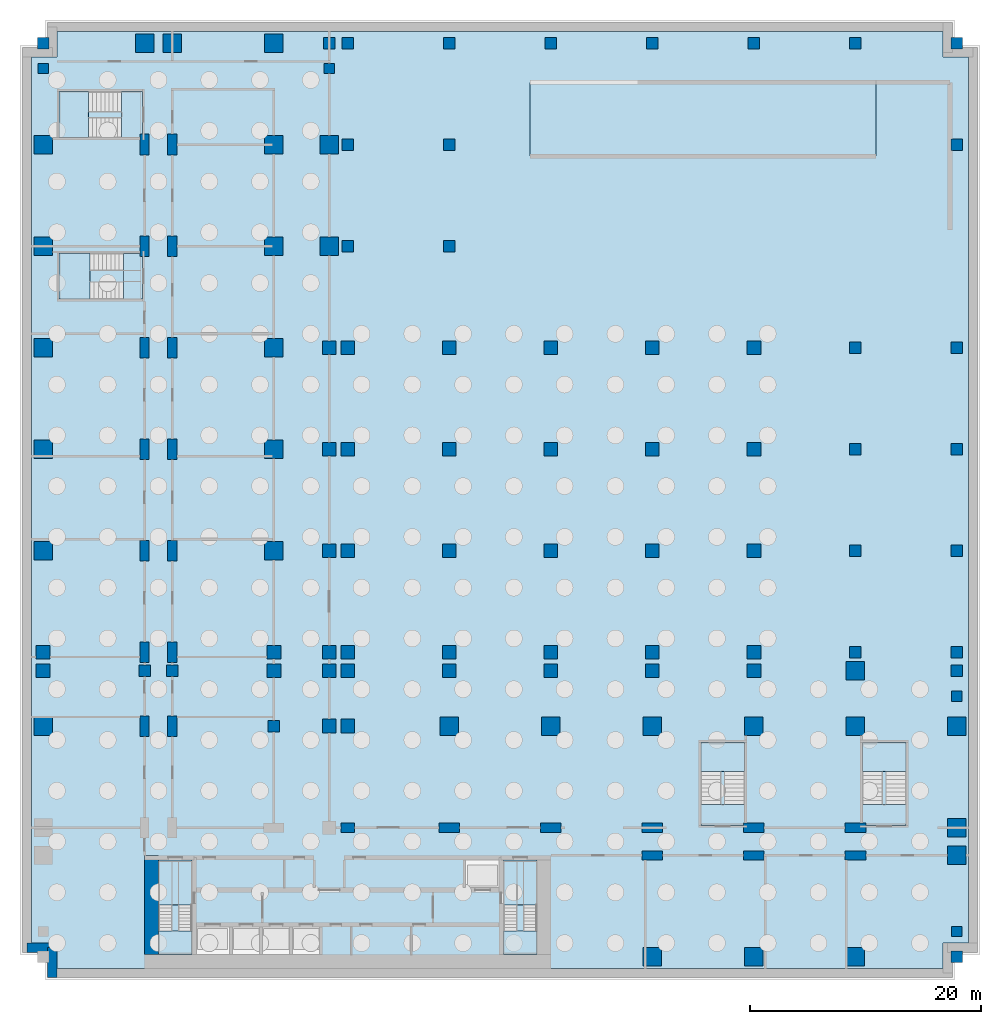
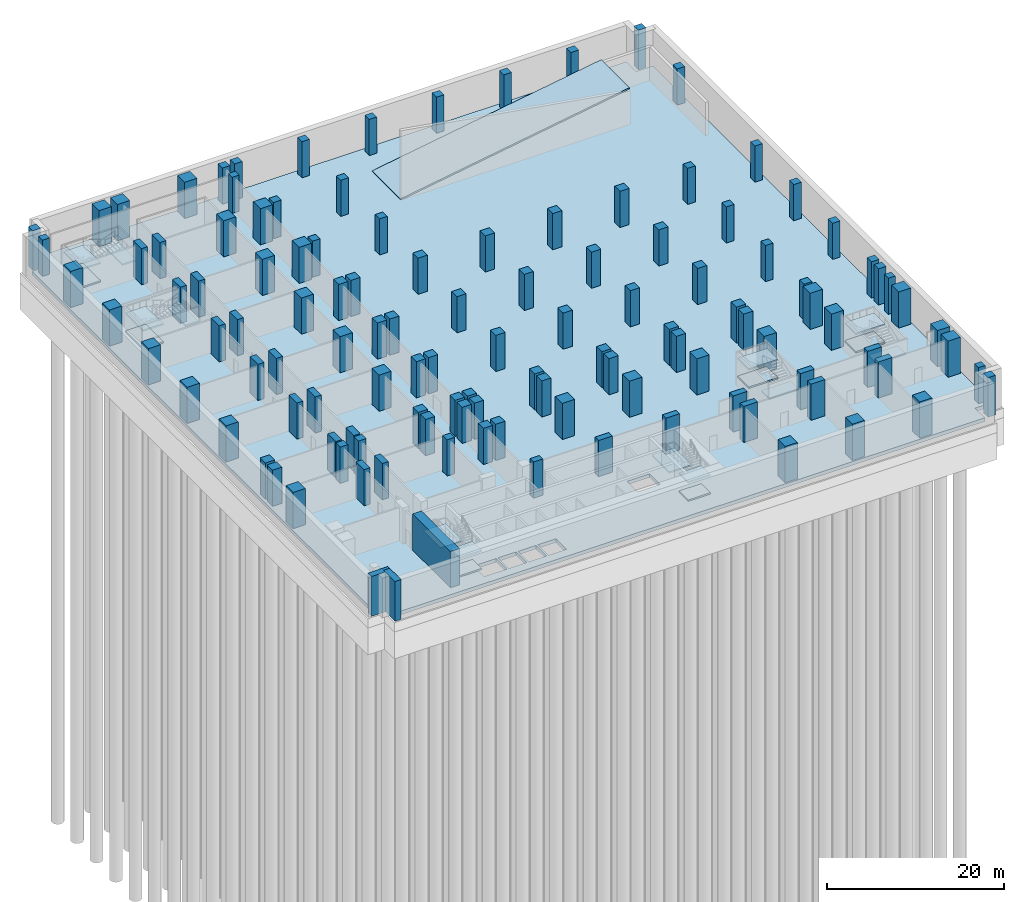
# One storey, part 2 of 14: 118 columns, 20 slabs, 3 walls, 6 elements without a shape of their own.
"""IFC4 building model written with IfcOpenShell, lengths in metres."""

from ifc_helpers import new_model, si_unit, direction, frame, frame_2d, origin, origin_2d, place, context, subcontext, project, spatial, polyline, rectangle, outline, extrude, material, layer, layer_set, material_profile, profile_set, type_object, element, aggregate, save


model = new_model("IFC4")

# Units and contexts
model_context = context("Model", 3, precision=1e-05, world=origin(), true_north=direction((0.0, 1.0)))
body_context = subcontext(model_context, "Body", "Model", "MODEL_VIEW")
ifc_project = project(units=[si_unit("LENGTHUNIT", "METRE"), si_unit("AREAUNIT", "SQUARE_METRE"), si_unit("VOLUMEUNIT", "CUBIC_METRE"), si_unit("PLANEANGLEUNIT", "RADIAN"), si_unit("MASSUNIT", "GRAM", prefix="KILO")], contexts=[model_context])

# Site, building, storey
site_placement = place(None, origin())
site = spatial("IfcSite", under=ifc_project, at=site_placement, CompositionType="ELEMENT")
building_placement = place(site_placement, origin())
building = spatial("IfcBuilding", under=site, at=building_placement, Name="Kemantara Hotel Tower", CompositionType="ELEMENT")
storey_placement = place(building_placement, frame((0.0, 0.0, -17.0)))
storey = spatial("IfcBuildingStorey", under=building, at=storey_placement, Name="B3", CompositionType="ELEMENT", Elevation=-17.0)

# Columns
ifc_material_1 = material(Name="Concrete fc 70 MPa", Category="concrete")
ifc_material_profile_1 = material_profile(ifc_material_1, rectangle(XDim=1.0, YDim=1.0, at=origin_2d()), Name="RC 1000X1000")
ifc_profile_set_1 = profile_set([ifc_material_profile_1], Name="Concrete fc 70 MPa")
column_type_1 = type_object("IfcColumnType", Name="RC COLUMN 1000X1000 FC70", PredefinedType="COLUMN", material=ifc_profile_set_1)
for number, where, z_axis, x_axis, name in (
    (1, (1.0, 80.199951171875, -0.5), (0.0, 0.0, 1.0), (1.0, 0.0, 0.0), "COLUMN 1/K B3"),
    (2, (9.800048828125, 25.800048828125, -0.5), (0.0, 0.0, 1.0), (1.0, 0.0, 0.0), "COLUMN 2/CA B3"),
    (3, (12.199951171875, 25.800048828125, -0.5), (0.0, 0.0, 1.0), (1.0, 0.0, 0.0), "COLUMN 2A/CA B3"),
    (4, (21.0, 21.0, -0.5), (0.0, 0.0, 1.0), (1.0, 0.0, 0.0), "COLUMN 3/C B3"),
    (5, (25.800048828125, 80.199951171875, -0.5), (0.0, 0.0, 1.0), (1.0, 0.0, 0.0), "COLUMN 3A/K B3"),
    (6, (27.39990234375, 62.60009765625, -0.5), (0.0, 0.0, 1.0), (1.0, 0.0, 0.0), "COLUMN 4/H B3"),
    (7, (27.39990234375, 71.39990234375, -0.5), (0.0, 0.0, 1.0), (1.0, 0.0, 0.0), "COLUMN 4/J B3"),
    (8, (27.39990234375, 80.199951171875, -0.5), (0.0, 0.0, 1.0), (1.0, 0.0, 0.0), "COLUMN 4/K B3"),
    (9, (36.199951171875, 62.60009765625, -0.5), (0.0, 0.0, 1.0), (1.0, 0.0, 0.0), "COLUMN 5/H B3"),
    (10, (36.199951171875, 71.39990234375, -0.5), (0.0, 0.0, 1.0), (1.0, 0.0, 0.0), "COLUMN 5/J B3"),
    (11, (36.199951171875, 80.199951171875, -0.5), (0.0, 0.0, 1.0), (1.0, 0.0, 0.0), "COLUMN 5/K B3"),
    (12, (45.0, 80.199951171875, -0.5), (0.0, 0.0, 1.0), (1.0, 0.0, 0.0), "COLUMN 6/K B3"),
    (13, (53.800048828125, 80.199951171875, -0.5), (0.0, 0.0, 1.0), (1.0, 0.0, 0.0), "COLUMN 7/K B3"),
    (14, (62.60009765625, 80.199951171875, -0.5), (0.0, 0.0, 1.0), (1.0, 0.0, 0.0), "COLUMN 8/K B3"),
    (15, (71.39990234375, 27.39990234375, -0.5), (0.0, 0.0, 1.0), (1.0, 0.0, 0.0), "COLUMN 9/D B3"),
    (16, (71.39990234375, 36.199951171875, -0.5), (0.0, 0.0, 1.0), (1.0, 0.0, 0.0), "COLUMN 9/E B3"),
    (17, (71.39990234375, 45.0, -0.5), (0.0, 0.0, 1.0), (1.0, 0.0, 0.0), "COLUMN 9/F B3"),
    (18, (71.39990234375, 53.800048828125, -0.5), (0.0, 0.0, 1.0), (1.0, 0.0, 0.0), "COLUMN 9/G B3"),
    (19, (71.39990234375, 80.199951171875, -0.5), (0.0, 0.0, 1.0), (1.0, 0.0, 0.0), "COLUMN 9/K B3"),
    (20, (80.199951171875, 1.0, -0.5), (0.0, 0.0, 1.0), (1.0, 0.0, 0.0), "COLUMN 10/A B3"),
    (21, (80.199951171875, 25.800048828125, -0.5), (0.0, 0.0, 1.0), (1.0, 0.0, 0.0), "COLUMN 10/CA B3"),
    (22, (80.199951171875, 27.39990234375, -0.5), (0.0, 0.0, 1.0), (1.0, 0.0, 0.0), "COLUMN 10/D B3"),
    (23, (80.199951171875, 36.199951171875, -0.5), (0.0, 0.0, 1.0), (1.0, 0.0, 0.0), "COLUMN 10/E B3"),
    (24, (80.199951171875, 45.0, -0.5), (0.0, 0.0, 1.0), (1.0, 0.0, 0.0), "COLUMN 10/F B3"),
    (25, (80.199951171875, 53.800048828125, -0.5), (0.0, 0.0, 1.0), (1.0, 0.0, 0.0), "COLUMN 10/G B3"),
    (26, (80.199951171875, 71.39990234375, -0.5), (0.0, 0.0, 1.0), (1.0, 0.0, 0.0), "COLUMN 10/J B3"),
    (27, (80.199951171875, 80.199951171875, -0.5), (0.0, 0.0, 1.0), (1.0, 0.0, 0.0), "COLUMN 10/K B3"),
):
    element("IfcColumn", number, at=place(storey_placement, frame(where, z_axis=z_axis, x_axis=x_axis)), inside=storey, type_object=column_type_1, Name=name, PredefinedType="COLUMN", context=body_context, shape_type="SweptSolid", body=[
        extrude(rectangle(XDim=1.0, YDim=1.0, at=origin_2d()), origin(), (0.0, 0.0, 1.0), 5.5),
    ])
ifc_material_profile_2 = material_profile(ifc_material_1, rectangle(XDim=1.199951171875, YDim=1.199951171875, at=origin_2d()), Name="RC 1200X1200")
ifc_profile_set_2 = profile_set([ifc_material_profile_2], Name="Concrete fc 70 MPa")
column_type_2 = type_object("IfcColumnType", Name="RC COLUMN 1200X1200 FC70", PredefinedType="COLUMN", material=ifc_profile_set_2)
for number, where, z_axis, x_axis, name in (
    (28, (1.0, 25.800048828125, -0.5), (0.0, 0.0, 1.0), (1.0, 0.0, 0.0), "COLUMN 1/CA B3"),
    (29, (1.0, 27.39990234375, -0.5), (0.0, 0.0, 1.0), (1.0, 0.0, 0.0), "COLUMN 1/D B3"),
    (30, (21.0, 25.800048828125, -0.5), (0.0, 0.0, 1.0), (1.0, 0.0, 0.0), "COLUMN 3/CA B3"),
    (31, (21.0, 27.39990234375, -0.5), (0.0, 0.0, 1.0), (1.0, 0.0, 0.0), "COLUMN 3/D B3"),
    (32, (25.800048828125, 21.0, -0.5), (0.0, 0.0, 1.0), (1.0, 0.0, 0.0), "COLUMN 3A/C B3"),
    (33, (25.800048828125, 25.800048828125, -0.5), (0.0, 0.0, 1.0), (1.0, 0.0, 0.0), "COLUMN 3A/CA B3"),
    (34, (25.800048828125, 27.39990234375, -0.5), (0.0, 0.0, 1.0), (1.0, 0.0, 0.0), "COLUMN 3A/D B3"),
    (35, (25.800048828125, 36.199951171875, -0.5), (0.0, 0.0, 1.0), (1.0, 0.0, 0.0), "COLUMN 3A/E B3"),
    (36, (25.800048828125, 45.0, -0.5), (0.0, 0.0, 1.0), (1.0, 0.0, 0.0), "COLUMN 3A/F B3"),
    (37, (25.800048828125, 53.800048828125, -0.5), (0.0, 0.0, 1.0), (1.0, 0.0, 0.0), "COLUMN 3A/G B3"),
    (38, (27.39990234375, 21.0, -0.5), (0.0, 0.0, 1.0), (1.0, 0.0, 0.0), "COLUMN 4/C B3"),
    (39, (27.39990234375, 25.800048828125, -0.5), (0.0, 0.0, 1.0), (1.0, 0.0, 0.0), "COLUMN 4/CA B3"),
    (40, (27.39990234375, 27.39990234375, -0.5), (0.0, 0.0, 1.0), (1.0, 0.0, 0.0), "COLUMN 4/D B3"),
    (41, (27.39990234375, 36.199951171875, -0.5), (0.0, 0.0, 1.0), (1.0, 0.0, 0.0), "COLUMN 4/E B3"),
    (42, (27.39990234375, 45.0, -0.5), (0.0, 0.0, 1.0), (1.0, 0.0, 0.0), "COLUMN 4/F B3"),
    (43, (27.39990234375, 53.800048828125, -0.5), (0.0, 0.0, 1.0), (1.0, 0.0, 0.0), "COLUMN 4/G B3"),
    (44, (36.199951171875, 25.800048828125, -0.5), (0.0, 0.0, 1.0), (1.0, 0.0, 0.0), "COLUMN 5/CA B3"),
    (45, (36.199951171875, 27.39990234375, -0.5), (0.0, 0.0, 1.0), (1.0, 0.0, 0.0), "COLUMN 5/D B3"),
    (46, (36.199951171875, 36.199951171875, -0.5), (0.0, 0.0, 1.0), (1.0, 0.0, 0.0), "COLUMN 5/E B3"),
    (47, (36.199951171875, 45.0, -0.5), (0.0, 0.0, 1.0), (1.0, 0.0, 0.0), "COLUMN 5/F B3"),
    (48, (36.199951171875, 53.800048828125, -0.5), (0.0, 0.0, 1.0), (1.0, 0.0, 0.0), "COLUMN 5/G B3"),
    (49, (45.0, 25.800048828125, -0.5), (0.0, 0.0, 1.0), (1.0, 0.0, 0.0), "COLUMN 6/CA B3"),
    (50, (45.0, 27.39990234375, -0.5), (0.0, 0.0, 1.0), (1.0, 0.0, 0.0), "COLUMN 6/D B3"),
    (51, (45.0, 36.199951171875, -0.5), (0.0, 0.0, 1.0), (1.0, 0.0, 0.0), "COLUMN 6/E B3"),
    (52, (45.0, 45.0, -0.5), (0.0, 0.0, 1.0), (1.0, 0.0, 0.0), "COLUMN 6/F B3"),
    (53, (45.0, 53.800048828125, -0.5), (0.0, 0.0, 1.0), (1.0, 0.0, 0.0), "COLUMN 6/G B3"),
    (54, (53.800048828125, 25.800048828125, -0.5), (0.0, 0.0, 1.0), (1.0, 0.0, 0.0), "COLUMN 7/CA B3"),
    (55, (53.800048828125, 27.39990234375, -0.5), (0.0, 0.0, 1.0), (1.0, 0.0, 0.0), "COLUMN 7/D B3"),
    (56, (53.800048828125, 36.199951171875, -0.5), (0.0, 0.0, 1.0), (1.0, 0.0, 0.0), "COLUMN 7/E B3"),
    (57, (53.800048828125, 45.0, -0.5), (0.0, 0.0, 1.0), (1.0, 0.0, 0.0), "COLUMN 7/F B3"),
    (58, (53.800048828125, 53.800048828125, -0.5), (0.0, 0.0, 1.0), (1.0, 0.0, 0.0), "COLUMN 7/G B3"),
    (59, (62.60009765625, 25.800048828125, -0.5), (0.0, 0.0, 1.0), (1.0, 0.0, 0.0), "COLUMN 8/CA B3"),
    (60, (62.60009765625, 27.39990234375, -0.5), (0.0, 0.0, 1.0), (1.0, 0.0, 0.0), "COLUMN 8/D B3"),
    (61, (62.60009765625, 36.199951171875, -0.5), (0.0, 0.0, 1.0), (1.0, 0.0, 0.0), "COLUMN 8/E B3"),
    (62, (62.60009765625, 45.0, -0.5), (0.0, 0.0, 1.0), (1.0, 0.0, 0.0), "COLUMN 8/F B3"),
    (63, (62.60009765625, 53.800048828125, -0.5), (0.0, 0.0, 1.0), (1.0, 0.0, 0.0), "COLUMN 8/G B3"),
):
    element("IfcColumn", number, at=place(storey_placement, frame(where, z_axis=z_axis, x_axis=x_axis)), inside=storey, type_object=column_type_2, Name=name, PredefinedType="COLUMN", context=body_context, shape_type="SweptSolid", body=[
        extrude(rectangle(XDim=1.199951171875, YDim=1.199951171875, at=origin_2d()), origin(), (0.0, 0.0, 1.0), 5.5),
    ])
ifc_material_profile_3 = material_profile(ifc_material_1, rectangle(XDim=1.199951171875, YDim=0.800048828125, at=origin_2d()), Name="RC 1200X800")
ifc_profile_set_3 = profile_set([ifc_material_profile_3], Name="Concrete fc 70 MPa")
column_type_3 = type_object("IfcColumnType", Name="RC COLUMN 1200X800 FC70", PredefinedType="COLUMN", material=ifc_profile_set_3)
column_placement = place(storey_placement, frame((27.39990234375, 12.199951171875, -0.5), z_axis=(0.0, 0.0, 1.0), x_axis=(1.0, 0.0, 0.0)))
element("IfcColumn", 64, at=column_placement, inside=storey, type_object=column_type_3, Name="COLUMN 4/BA B3", PredefinedType="COLUMN", context=body_context, shape_type="SweptSolid", body=[
    extrude(rectangle(XDim=1.199951171875, YDim=0.800048828125, at=origin_2d()), origin(), (0.0, 0.0, 1.0), 5.5),
])
ifc_material_profile_4 = material_profile(ifc_material_1, rectangle(XDim=1.60009765625, YDim=1.60009765625, at=origin_2d()), Name="RC 1600X1600")
ifc_profile_set_4 = profile_set([ifc_material_profile_4], Name="Concrete fc 70 MPa")
column_type_4 = type_object("IfcColumnType", Name="RC COLUMN 1600X1600 FC70", PredefinedType="COLUMN", material=ifc_profile_set_4)
for number, where, z_axis, x_axis, name in (
    (65, (1.0, 21.0, -0.5), (0.0, 0.0, 1.0), (1.0, 0.0, 0.0), "COLUMN 1/C B3"),
    (66, (1.0, 36.199951171875, -0.5), (0.0, 0.0, 1.0), (1.0, 0.0, 0.0), "COLUMN 1/E B3"),
    (67, (1.0, 45.0, -0.5), (0.0, 0.0, 1.0), (1.0, 0.0, 0.0), "COLUMN 1/F B3"),
    (68, (1.0, 53.800048828125, -0.5), (0.0, 0.0, 1.0), (1.0, 0.0, 0.0), "COLUMN 1/G B3"),
    (69, (1.0, 62.60009765625, -0.5), (0.0, 0.0, 1.0), (1.0, 0.0, 0.0), "COLUMN 1/H B3"),
    (70, (1.0, 71.39990234375, -0.5), (0.0, 0.0, 1.0), (1.0, 0.0, 0.0), "COLUMN 1/J B3"),
    (71, (9.800048828125, 80.199951171875, -0.5), (0.0, 0.0, 1.0), (1.0, 0.0, 0.0), "COLUMN 2/K B3"),
    (72, (12.199951171875, 80.199951171875, -0.5), (0.0, 0.0, 1.0), (1.0, 0.0, 0.0), "COLUMN 2A/K B3"),
    (73, (21.0, 36.199951171875, -0.5), (0.0, 0.0, 1.0), (1.0, 0.0, 0.0), "COLUMN 3/E B3"),
    (74, (21.0, 45.0, -0.5), (0.0, 0.0, 1.0), (1.0, 0.0, 0.0), "COLUMN 3/F B3"),
    (75, (21.0, 53.800048828125, -0.5), (0.0, 0.0, 1.0), (1.0, 0.0, 0.0), "COLUMN 3/G B3"),
    (76, (21.0, 62.60009765625, -0.5), (0.0, 0.0, 1.0), (1.0, 0.0, 0.0), "COLUMN 3/H B3"),
    (77, (21.0, 71.39990234375, -0.5), (0.0, 0.0, 1.0), (1.0, 0.0, 0.0), "COLUMN 3/J B3"),
    (78, (21.0, 80.199951171875, -0.5), (0.0, 0.0, 1.0), (1.0, 0.0, 0.0), "COLUMN 3/K B3"),
    (79, (25.800048828125, 62.60009765625, -0.5), (0.0, 0.0, 1.0), (1.0, 0.0, 0.0), "COLUMN 3A/H B3"),
    (80, (25.800048828125, 71.39990234375, -0.5), (0.0, 0.0, 1.0), (1.0, 0.0, 0.0), "COLUMN 3A/J B3"),
    (81, (36.199951171875, 21.0, -0.5), (0.0, 0.0, 1.0), (1.0, 0.0, 0.0), "COLUMN 5/C B3"),
    (82, (45.0, 21.0, -0.5), (0.0, 0.0, 1.0), (1.0, 0.0, 0.0), "COLUMN 6/C B3"),
    (83, (53.800048828125, 1.0, -0.5), (0.0, 0.0, 1.0), (1.0, 0.0, 0.0), "COLUMN 7/A B3"),
    (84, (53.800048828125, 21.0, -0.5), (0.0, 0.0, 1.0), (1.0, 0.0, 0.0), "COLUMN 7/C B3"),
    (85, (62.60009765625, 1.0, -0.5), (0.0, 0.0, 1.0), (1.0, 0.0, 0.0), "COLUMN 8/A B3"),
    (86, (62.60009765625, 21.0, -0.5), (0.0, 0.0, 1.0), (1.0, 0.0, 0.0), "COLUMN 8/C B3"),
    (87, (71.39990234375, 1.0, -0.5), (0.0, 0.0, 1.0), (1.0, 0.0, 0.0), "COLUMN 9/A B3"),
    (88, (71.39990234375, 21.0, -0.5), (0.0, 0.0, 1.0), (1.0, 0.0, 0.0), "COLUMN 9/C B3"),
    (89, (71.39990234375, 25.800048828125, -0.5), (0.0, 0.0, 1.0), (1.0, 0.0, 0.0), "COLUMN 9/CA B3"),
    (90, (80.199951171875, 9.800048828125, -0.5), (0.0, 0.0, 1.0), (1.0, 0.0, 0.0), "COLUMN 10/B B3"),
    (91, (80.199951171875, 12.199951171875, -0.5), (0.0, 0.0, 1.0), (1.0, 0.0, 0.0), "COLUMN 10/BA B3"),
    (92, (80.199951171875, 21.0, -0.5), (0.0, 0.0, 1.0), (1.0, 0.0, 0.0), "COLUMN 10/C B3"),
):
    element("IfcColumn", number, at=place(storey_placement, frame(where, z_axis=z_axis, x_axis=x_axis)), inside=storey, type_object=column_type_4, Name=name, PredefinedType="COLUMN", context=body_context, shape_type="SweptSolid", body=[
        extrude(rectangle(XDim=1.60009765625, YDim=1.60009765625, at=origin_2d()), origin(), (0.0, 0.0, 1.0), 5.5),
    ])
ifc_material_profile_5 = material_profile(ifc_material_1, rectangle(XDim=1.800048828125, YDim=0.800048828125, at=origin_2d()), Name="RC 1800X800")
ifc_profile_set_5 = profile_set([ifc_material_profile_5], Name="Concrete fc 70 MPa")
column_type_5 = type_object("IfcColumnType", Name="RC COLUMN 1800X800 FC70", PredefinedType="COLUMN", material=ifc_profile_set_5)
for number, where, z_axis, x_axis, name in (
    (93, (9.800048828125, 21.0, -0.5), (0.0, 0.0, 1.0), (0.0, 1.0, 0.0), "COLUMN 2/C B3"),
    (94, (9.800048828125, 27.39990234375, -0.5), (0.0, 0.0, 1.0), (0.0, 1.0, 0.0), "COLUMN 2/D B3"),
    (95, (9.800048828125, 36.199951171875, -0.5), (0.0, 0.0, 1.0), (0.0, 1.0, 0.0), "COLUMN 2/E B3"),
    (96, (9.800048828125, 45.0, -0.5), (0.0, 0.0, 1.0), (0.0, 1.0, 0.0), "COLUMN 2/F B3"),
    (97, (9.800048828125, 53.800048828125, -0.5), (0.0, 0.0, 1.0), (0.0, 1.0, 0.0), "COLUMN 2/G B3"),
    (98, (9.800048828125, 62.60009765625, -0.5), (0.0, 0.0, 1.0), (0.0, 1.0, 0.0), "COLUMN 2/H B3"),
    (99, (9.800048828125, 71.39990234375, -0.5), (0.0, 0.0, 1.0), (0.0, 1.0, 0.0), "COLUMN 2/J B3"),
    (100, (12.199951171875, 21.0, -0.5), (0.0, 0.0, 1.0), (0.0, 1.0, 0.0), "COLUMN 2A/C B3"),
    (101, (12.199951171875, 27.39990234375, -0.5), (0.0, 0.0, 1.0), (0.0, 1.0, 0.0), "COLUMN 2A/D B3"),
    (102, (12.199951171875, 36.199951171875, -0.5), (0.0, 0.0, 1.0), (0.0, 1.0, 0.0), "COLUMN 2A/E B3"),
    (103, (12.199951171875, 45.0, -0.5), (0.0, 0.0, 1.0), (0.0, 1.0, 0.0), "COLUMN 2A/F B3"),
    (104, (12.199951171875, 53.800048828125, -0.5), (0.0, 0.0, 1.0), (0.0, 1.0, 0.0), "COLUMN 2A/G B3"),
    (105, (12.199951171875, 62.60009765625, -0.5), (0.0, 0.0, 1.0), (0.0, 1.0, 0.0), "COLUMN 2A/H B3"),
    (106, (12.199951171875, 71.39990234375, -0.5), (0.0, 0.0, 1.0), (0.0, 1.0, 0.0), "COLUMN 2A/J B3"),
    (107, (36.199951171875, 12.199951171875, -0.5), (0.0, 0.0, 1.0), (1.0, 0.0, 0.0), "COLUMN 5/BA B3"),
    (108, (45.0, 12.199951171875, -0.5), (0.0, 0.0, 1.0), (1.0, 0.0, 0.0), "COLUMN 6/BA B3"),
    (109, (53.800048828125, 9.800048828125, -0.5), (0.0, 0.0, 1.0), (1.0, 0.0, 0.0), "COLUMN 7/B B3"),
    (110, (53.800048828125, 12.199951171875, -0.5), (0.0, 0.0, 1.0), (1.0, 0.0, 0.0), "COLUMN 7/BA B3"),
    (111, (62.60009765625, 9.800048828125, -0.5), (0.0, 0.0, 1.0), (1.0, 0.0, 0.0), "COLUMN 8/B B3"),
    (112, (62.60009765625, 12.199951171875, -0.5), (0.0, 0.0, 1.0), (1.0, 0.0, 0.0), "COLUMN 8/BA B3"),
    (113, (71.39990234375, 9.800048828125, -0.5), (0.0, 0.0, 1.0), (1.0, 0.0, 0.0), "COLUMN 9/B B3"),
    (114, (71.39990234375, 12.199951171875, -0.5), (0.0, 0.0, 1.0), (1.0, 0.0, 0.0), "COLUMN 9/BA B3"),
):
    element("IfcColumn", number, at=place(storey_placement, frame(where, z_axis=z_axis, x_axis=x_axis)), inside=storey, type_object=column_type_5, Name=name, PredefinedType="COLUMN", context=body_context, shape_type="SweptSolid", body=[
        extrude(rectangle(XDim=1.800048828125, YDim=0.800048828125, at=origin_2d()), origin(), (0.0, 0.0, 1.0), 5.5),
    ])
ifc_material_profile_6 = material_profile(ifc_material_1, rectangle(XDim=0.89990234375, YDim=0.89990234375, at=origin_2d()), Name="RC 900X900")
ifc_profile_set_6 = profile_set([ifc_material_profile_6], Name="Concrete fc 70 MPa")
column_type_6 = type_object("IfcColumnType", Name="RC COLUMN 900X900 FC70", PredefinedType="COLUMN", material=ifc_profile_set_6)
for number, where, z_axis, x_axis, name in (
    (115, (1.0, 78.0, -0.5), (0.0, 0.0, 1.0), (1.0, 0.0, 0.0), "COLUMN notch corner B3"),
    (116, (25.800048828125, 78.0, -0.5), (0.0, 0.0, 1.0), (1.0, 0.0, 0.0), "COLUMN notch corner B3"),
    (117, (80.199951171875, 3.199951171875, -0.5), (0.0, 0.0, 1.0), (1.0, 0.0, 0.0), "COLUMN notch corner B3"),
    (118, (80.199951171875, 23.60009765625, -0.5), (0.0, 0.0, 1.0), (1.0, 0.0, 0.0), "COLUMN notch corner B3"),
):
    element("IfcColumn", number, at=place(storey_placement, frame(where, z_axis=z_axis, x_axis=x_axis)), inside=storey, type_object=column_type_6, Name=name, PredefinedType="COLUMN", context=body_context, shape_type="SweptSolid", body=[
        extrude(rectangle(XDim=0.89990234375, YDim=0.89990234375, at=origin_2d()), origin(), (0.0, 0.0, 1.0), 5.5),
    ])

# Slabs
ifc_material_2 = material(Name="Concrete fc 40 MPa", Category="concrete")
ifc_layer_1 = layer(ifc_material_2, 0.5)
ifc_layer_set_1 = layer_set([ifc_layer_1], Name="Concrete fc 40 MPa")
slab_type_1 = type_object("IfcSlabType", Name="BASE SLAB 500", PredefinedType="BASESLAB", material=ifc_layer_set_1)
slab_1_placement = place(storey_placement, frame((0.0, 0.0, -0.5)))
element("IfcSlab", 119, at=slab_1_placement, inside=storey, type_object=slab_type_1, Name="FLOOR SLAB B3", PredefinedType="BASESLAB", context=body_context, shape_type="SweptSolid", body=[
    extrude(outline(polyline([(81.199951171875, 2.199951171875), (81.199951171875, 79.0), (79.0, 79.0), (79.0, 81.199951171875), (2.199951171875, 81.199951171875), (2.199951171875, 79.0), (0.0, 79.0), (0.0, 2.199951171875), (2.199951171875, 2.199951171875), (2.199951171875, 0.0), (79.0, 0.0), (79.0, 2.199951171875), (81.199951171875, 2.199951171875)]), holes=[polyline([(14.22509765625, 3.60009765625), (17.175048828125, 3.60009765625), (17.175048828125, 1.199951171875), (14.22509765625, 1.199951171875), (14.22509765625, 3.60009765625)]), polyline([(17.425048828125, 3.60009765625), (19.77490234375, 3.60009765625), (19.77490234375, 1.199951171875), (17.425048828125, 1.199951171875), (17.425048828125, 3.60009765625)]), polyline([(20.02490234375, 3.60009765625), (22.375, 3.60009765625), (22.375, 1.199951171875), (20.02490234375, 1.199951171875), (20.02490234375, 3.60009765625)]), polyline([(24.97509765625, 3.60009765625), (24.97509765625, 1.199951171875), (22.625, 1.199951171875), (22.625, 3.60009765625), (24.97509765625, 3.60009765625)]), polyline([(40.574951171875, 9.39990234375), (40.574951171875, 7.0), (37.625, 7.0), (37.625, 9.39990234375), (40.574951171875, 9.39990234375)])]), origin(), (0.0, 0.0, 1.0), 0.5),
])
ifc_layer_2 = layer(ifc_material_2, 0.199951171875)
ifc_layer_set_2 = layer_set([ifc_layer_2], Name="Concrete fc 40 MPa")
slab_type_2 = type_object("IfcSlabType", Name="CAR RAMP SLAB 200", PredefinedType="FLOOR", material=ifc_layer_set_2)
slab_2_placement = place(storey_placement, frame((73.16650390625, 70.39990234375, 5.0), z_axis=(-0.161048303818, 0.0, 0.986946525318), x_axis=(-0.986946525318, 0.0, -0.161048303818)))
element("IfcSlab", 120, at=slab_2_placement, inside=storey, type_object=slab_type_2, Name="CAR RAMP SLAB", PredefinedType="FLOOR", context=body_context, shape_type="SweptSolid", body=[
    extrude(outline(polyline([(0.0, 0.0), (30.362894002510366, 0.0), (30.362894002510366, -6.400146484375), (0.0, -6.400146484375), (0.0, 0.0)])), origin(), (0.0, 0.0, -1.0), 0.199951171875),
])

# Stair, slabs
stair_type_1 = type_object("IfcStairType", Name="Stair 1200 wide 36 risers of 139 x 280 mm", PredefinedType="HALF_TURN_STAIR", material=ifc_material_2)
stair_1_placement = place(storey_placement, origin())
stair_1 = element("IfcStair", 121, at=stair_1_placement, inside=storey, type_object=stair_type_1, Name="B3 Exit stair ST1", PredefinedType="HALF_TURN_STAIR")
ifc_layer_3 = layer(ifc_material_2, 0.199951171875)
ifc_layer_set_3 = layer_set([ifc_layer_3], Name="Concrete fc 40 MPa")
slab_type_3 = type_object("IfcSlabType", Name="Stair landing 200 mm", PredefinedType="LANDING", material=ifc_layer_set_3)
slab_3_placement = place(storey_placement, frame((0.0, 0.0, 1.050048828125)))
slab_3 = element("IfcSlab", 122, at=slab_3_placement, type_object=slab_type_3, Name="ST1 landing 1", PredefinedType="LANDING", context=body_context, shape_type="SweptSolid", body=[
    extrude(outline(polyline([(11.0, 3.260009765625), (11.0, 1.199951171875), (13.89990234375, 1.199951171875), (13.89990234375, 3.260009765625), (11.0, 3.260009765625)])), origin(), (0.0, 0.0, 1.0), 0.199951171875),
])
slab_4_placement = place(storey_placement, frame((0.0, 0.0, 2.300048828125)))
slab_4 = element("IfcSlab", 123, at=slab_4_placement, type_object=slab_type_3, Name="ST1 landing 2", PredefinedType="LANDING", context=body_context, shape_type="SweptSolid", body=[
    extrude(outline(polyline([(11.0, 9.39990234375), (11.0, 5.5), (13.89990234375, 5.5), (13.89990234375, 9.39990234375), (11.0, 9.39990234375)])), origin(), (0.0, 0.0, 1.0), 0.199951171875),
])
slab_5_placement = place(storey_placement, frame((0.0, 0.0, 3.550048828125)))
slab_5 = element("IfcSlab", 124, at=slab_5_placement, type_object=slab_type_3, Name="ST1 landing 3", PredefinedType="LANDING", context=body_context, shape_type="SweptSolid", body=[
    extrude(outline(polyline([(11.0, 3.260009765625), (11.0, 1.199951171875), (13.89990234375, 1.199951171875), (13.89990234375, 3.260009765625), (11.0, 3.260009765625)])), origin(), (0.0, 0.0, 1.0), 0.199951171875),
])
aggregate(stair_1, [slab_3, slab_4, slab_5])

stair_2_placement = place(storey_placement, origin())
stair_2 = element("IfcStair", 125, at=stair_2_placement, inside=storey, type_object=stair_type_1, Name="B3 Exit stair ST2", PredefinedType="HALF_TURN_STAIR")
slab_6_placement = place(storey_placement, frame((0.0, 0.0, 1.050048828125)))
slab_6 = element("IfcSlab", 126, at=slab_6_placement, type_object=slab_type_3, Name="ST2 landing 1", PredefinedType="LANDING", context=body_context, shape_type="SweptSolid", body=[
    extrude(outline(polyline([(40.89990234375, 3.260009765625), (40.89990234375, 1.199951171875), (43.800048828125, 1.199951171875), (43.800048828125, 3.260009765625), (40.89990234375, 3.260009765625)])), origin(), (0.0, 0.0, 1.0), 0.199951171875),
])
slab_7_placement = place(storey_placement, frame((0.0, 0.0, 2.300048828125)))
slab_7 = element("IfcSlab", 127, at=slab_7_placement, type_object=slab_type_3, Name="ST2 landing 2", PredefinedType="LANDING", context=body_context, shape_type="SweptSolid", body=[
    extrude(outline(polyline([(40.89990234375, 9.39990234375), (40.89990234375, 5.5), (43.800048828125, 5.5), (43.800048828125, 9.39990234375), (40.89990234375, 9.39990234375)])), origin(), (0.0, 0.0, 1.0), 0.199951171875),
])
slab_8_placement = place(storey_placement, frame((0.0, 0.0, 3.550048828125)))
slab_8 = element("IfcSlab", 128, at=slab_8_placement, type_object=slab_type_3, Name="ST2 landing 3", PredefinedType="LANDING", context=body_context, shape_type="SweptSolid", body=[
    extrude(outline(polyline([(40.89990234375, 3.260009765625), (40.89990234375, 1.199951171875), (43.800048828125, 1.199951171875), (43.800048828125, 3.260009765625), (40.89990234375, 3.260009765625)])), origin(), (0.0, 0.0, 1.0), 0.199951171875),
])
aggregate(stair_2, [slab_6, slab_7, slab_8])

stair_type_2 = type_object("IfcStairType", Name="Stair 1800 wide 36 risers of 139 x 360 mm", PredefinedType="HALF_TURN_STAIR", material=ifc_material_2)
stair_3_placement = place(storey_placement, origin())
stair_3 = element("IfcStair", 129, at=stair_3_placement, inside=storey, type_object=stair_type_2, Name="B3 Exit stair ST3", PredefinedType="HALF_TURN_STAIR")
slab_9_placement = place(storey_placement, frame((0.0, 0.0, 1.050048828125)))
slab_9 = element("IfcSlab", 130, at=slab_9_placement, type_object=slab_type_3, Name="ST3 landing 1", PredefinedType="LANDING", context=body_context, shape_type="SweptSolid", body=[
    extrude(outline(polyline([(61.800048828125, 17.080078125), (61.800048828125, 19.60009765625), (58.0, 19.60009765625), (58.0, 17.080078125), (61.800048828125, 17.080078125)])), origin(), (0.0, 0.0, 1.0), 0.199951171875),
])
slab_10_placement = place(storey_placement, frame((0.0, 0.0, 2.300048828125)))
slab_10 = element("IfcSlab", 131, at=slab_10_placement, type_object=slab_type_3, Name="ST3 landing 2", PredefinedType="LANDING", context=body_context, shape_type="SweptSolid", body=[
    extrude(outline(polyline([(61.800048828125, 12.39990234375), (61.800048828125, 14.199951171875), (58.0, 14.199951171875), (58.0, 12.39990234375), (61.800048828125, 12.39990234375)])), origin(), (0.0, 0.0, 1.0), 0.199951171875),
])
slab_11_placement = place(storey_placement, frame((0.0, 0.0, 3.550048828125)))
slab_11 = element("IfcSlab", 132, at=slab_11_placement, type_object=slab_type_3, Name="ST3 landing 3", PredefinedType="LANDING", context=body_context, shape_type="SweptSolid", body=[
    extrude(outline(polyline([(61.800048828125, 17.080078125), (61.800048828125, 19.60009765625), (58.0, 19.60009765625), (58.0, 17.080078125), (61.800048828125, 17.080078125)])), origin(), (0.0, 0.0, 1.0), 0.199951171875),
])
aggregate(stair_3, [slab_9, slab_10, slab_11])

stair_type_3 = type_object("IfcStairType", Name="Stair 1550 wide 36 risers of 139 x 360 mm", PredefinedType="HALF_TURN_STAIR", material=ifc_material_2)
stair_4_placement = place(storey_placement, origin())
stair_4 = element("IfcStair", 133, at=stair_4_placement, inside=storey, type_object=stair_type_3, Name="B3 Exit stair ST4", PredefinedType="HALF_TURN_STAIR")
slab_12_placement = place(storey_placement, frame((0.0, 0.0, 1.050048828125)))
slab_12 = element("IfcSlab", 134, at=slab_12_placement, type_object=slab_type_3, Name="ST4 landing 1", PredefinedType="LANDING", context=body_context, shape_type="SweptSolid", body=[
    extrude(outline(polyline([(5.070068359375, 62.0), (2.39990234375, 62.0), (2.39990234375, 58.0), (5.070068359375, 58.0), (5.070068359375, 62.0)])), origin(), (0.0, 0.0, 1.0), 0.199951171875),
])
slab_13_placement = place(storey_placement, frame((0.0, 0.0, 2.300048828125)))
slab_13 = element("IfcSlab", 135, at=slab_13_placement, type_object=slab_type_3, Name="ST4 landing 2", PredefinedType="LANDING", context=body_context, shape_type="SweptSolid", body=[
    extrude(outline(polyline([(9.60009765625, 62.0), (7.949951171875, 62.0), (7.949951171875, 58.0), (9.60009765625, 58.0), (9.60009765625, 62.0)])), origin(), (0.0, 0.0, 1.0), 0.199951171875),
])
slab_14_placement = place(storey_placement, frame((0.0, 0.0, 3.550048828125)))
slab_14 = element("IfcSlab", 136, at=slab_14_placement, type_object=slab_type_3, Name="ST4 landing 3", PredefinedType="LANDING", context=body_context, shape_type="SweptSolid", body=[
    extrude(outline(polyline([(5.070068359375, 62.0), (2.39990234375, 62.0), (2.39990234375, 58.0), (5.070068359375, 58.0), (5.070068359375, 62.0)])), origin(), (0.0, 0.0, 1.0), 0.199951171875),
])
aggregate(stair_4, [slab_12, slab_13, slab_14])

stair_5_placement = place(storey_placement, origin())
stair_5 = element("IfcStair", 137, at=stair_5_placement, inside=storey, type_object=stair_type_2, Name="B3 Exit stair ST5", PredefinedType="HALF_TURN_STAIR")
slab_15_placement = place(storey_placement, frame((0.0, 0.0, 1.050048828125)))
slab_15 = element("IfcSlab", 138, at=slab_15_placement, type_object=slab_type_3, Name="ST5 landing 1", PredefinedType="LANDING", context=body_context, shape_type="SweptSolid", body=[
    extrude(outline(polyline([(75.800048828125, 17.080078125), (75.800048828125, 19.60009765625), (72.0, 19.60009765625), (72.0, 17.080078125), (75.800048828125, 17.080078125)])), origin(), (0.0, 0.0, 1.0), 0.199951171875),
])
slab_16_placement = place(storey_placement, frame((0.0, 0.0, 2.300048828125)))
slab_16 = element("IfcSlab", 139, at=slab_16_placement, type_object=slab_type_3, Name="ST5 landing 2", PredefinedType="LANDING", context=body_context, shape_type="SweptSolid", body=[
    extrude(outline(polyline([(75.800048828125, 12.39990234375), (75.800048828125, 14.199951171875), (72.0, 14.199951171875), (72.0, 12.39990234375), (75.800048828125, 12.39990234375)])), origin(), (0.0, 0.0, 1.0), 0.199951171875),
])
slab_17_placement = place(storey_placement, frame((0.0, 0.0, 3.550048828125)))
slab_17 = element("IfcSlab", 140, at=slab_17_placement, type_object=slab_type_3, Name="ST5 landing 3", PredefinedType="LANDING", context=body_context, shape_type="SweptSolid", body=[
    extrude(outline(polyline([(75.800048828125, 17.080078125), (75.800048828125, 19.60009765625), (72.0, 19.60009765625), (72.0, 17.080078125), (75.800048828125, 17.080078125)])), origin(), (0.0, 0.0, 1.0), 0.199951171875),
])
aggregate(stair_5, [slab_15, slab_16, slab_17])

stair_6_placement = place(storey_placement, origin())
stair_6 = element("IfcStair", 141, at=stair_6_placement, inside=storey, type_object=stair_type_2, Name="B3 Exit stair ST6", PredefinedType="HALF_TURN_STAIR")
slab_18_placement = place(storey_placement, frame((0.0, 0.0, 1.050048828125)))
slab_18 = element("IfcSlab", 142, at=slab_18_placement, type_object=slab_type_3, Name="ST6 landing 1", PredefinedType="LANDING", context=body_context, shape_type="SweptSolid", body=[
    extrude(outline(polyline([(4.919921875, 76.0), (2.39990234375, 76.0), (2.39990234375, 72.0), (4.919921875, 72.0), (4.919921875, 76.0)])), origin(), (0.0, 0.0, 1.0), 0.199951171875),
])
slab_19_placement = place(storey_placement, frame((0.0, 0.0, 2.300048828125)))
slab_19 = element("IfcSlab", 143, at=slab_19_placement, type_object=slab_type_3, Name="ST6 landing 2", PredefinedType="LANDING", context=body_context, shape_type="SweptSolid", body=[
    extrude(outline(polyline([(9.60009765625, 76.0), (7.800048828125, 76.0), (7.800048828125, 72.0), (9.60009765625, 72.0), (9.60009765625, 76.0)])), origin(), (0.0, 0.0, 1.0), 0.199951171875),
])
slab_20_placement = place(storey_placement, frame((0.0, 0.0, 3.550048828125)))
slab_20 = element("IfcSlab", 144, at=slab_20_placement, type_object=slab_type_3, Name="ST6 landing 3", PredefinedType="LANDING", context=body_context, shape_type="SweptSolid", body=[
    extrude(outline(polyline([(4.919921875, 76.0), (2.39990234375, 76.0), (2.39990234375, 72.0), (4.919921875, 72.0), (4.919921875, 76.0)])), origin(), (0.0, 0.0, 1.0), 0.199951171875),
])
aggregate(stair_6, [slab_18, slab_19, slab_20])

# Walls
ifc_layer_4 = layer(ifc_material_2, 0.800048828125)
ifc_layer_set_4 = layer_set([ifc_layer_4], Name="Concrete fc 40 MPa")
wall_type_1 = type_object("IfcWallType", Name="BASEMENT PERIMETER WALL 800 FC40", PredefinedType="SHEAR", material=ifc_layer_set_4)
wall_1_placement = place(storey_placement, frame((1.800048828125, -0.800048828125, -0.5), z_axis=(0.0, 0.0, 1.0), x_axis=(0.0, 1.0, 0.0)))
element("IfcWall", 145, at=wall_1_placement, inside=storey, type_object=wall_type_1, Name="BASEMENT PERIMETER WALL B3 5", PredefinedType="SHEAR", context=body_context, shape_type="SweptSolid", body=[
    extrude(rectangle(XDim=2.60009765625, YDim=0.800048828125, at=frame_2d((1.300048828125, 0.0))), origin(), (0.0, 0.0, 1.0), 5.5),
])
wall_2_placement = place(storey_placement, frame((2.199951171875, 1.800048828125, -0.5), z_axis=(0.0, 0.0, 1.0), x_axis=(-1.0, 0.0, 0.0)))
element("IfcWall", 146, at=wall_2_placement, inside=storey, type_object=wall_type_1, Name="BASEMENT PERIMETER WALL B3 6", PredefinedType="SHEAR", context=body_context, shape_type="SweptSolid", body=[
    extrude(rectangle(XDim=2.599853515625, YDim=0.800048828125, at=frame_2d((1.2998046875, 0.0))), origin(), (0.0, 0.0, 1.0), 5.5),
])
ifc_layer_5 = layer(ifc_material_1, 1.199951171875)
ifc_layer_set_5 = layer_set([ifc_layer_5], Name="Concrete fc 70 MPa")
wall_type_2 = type_object("IfcWallType", Name="CORE WALL 1200 FC70", PredefinedType="SHEAR", material=ifc_layer_set_5)
wall_3_placement = place(storey_placement, frame((10.39990234375, 1.199951171875, -0.5), z_axis=(0.0, 0.0, 1.0), x_axis=(0.0, 1.0, 0.0)))
element("IfcWall", 147, at=wall_3_placement, inside=storey, type_object=wall_type_2, Name="CORE WALL CW-W", PredefinedType="SHEAR", context=body_context, shape_type="SweptSolid", body=[
    extrude(rectangle(XDim=8.60009765625, YDim=1.199951171875, at=frame_2d((4.300048828125, 0.0))), origin(), (0.0, 0.0, 1.0), 5.5),
])

save(model, "model.ifc")
